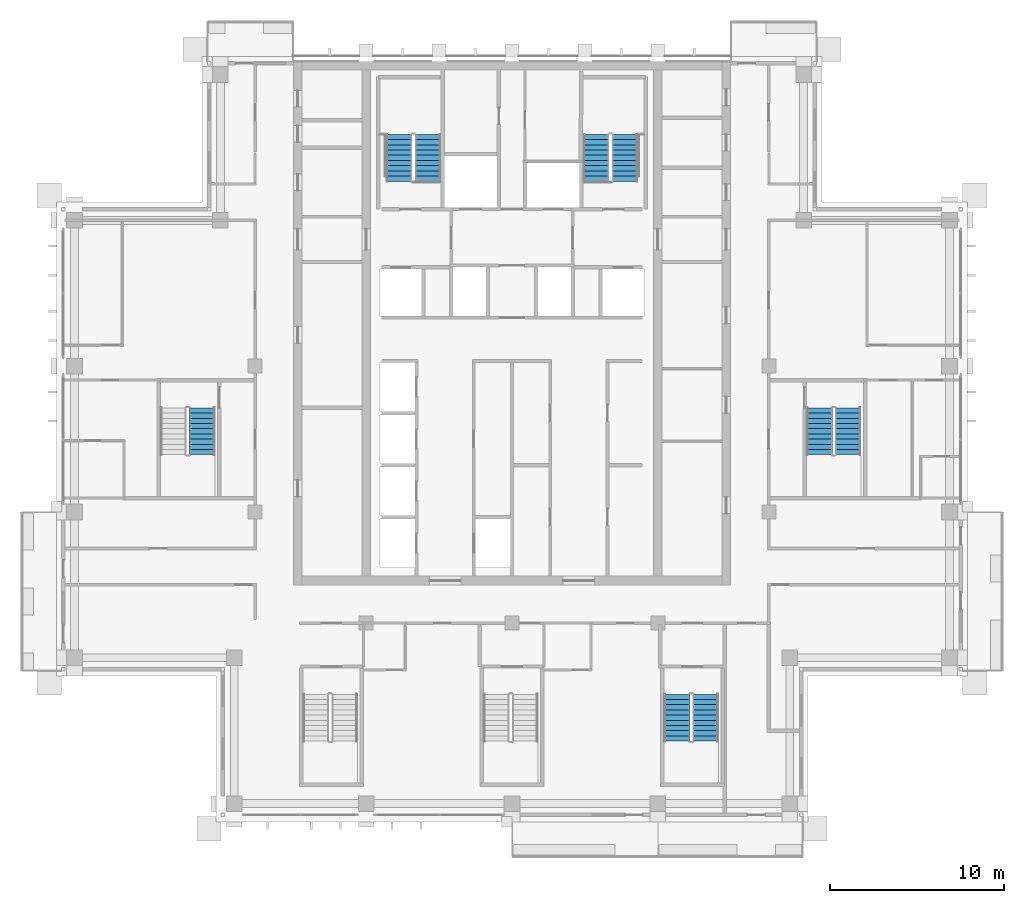
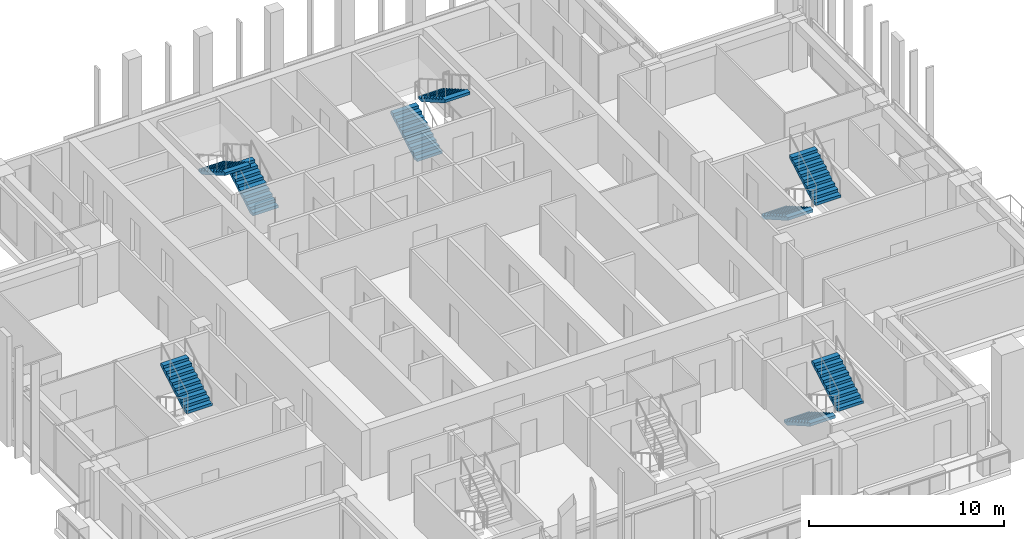
# One storey, part 14 of 18: 9 stair flights, 5 elements without a shape of their own.
"""IFC4 building model written with IfcOpenShell, lengths in metres."""

from ifc_helpers import new_model, si_unit, direction, frame, origin, place, context, subcontext, project, spatial, polyline, outline, extrude, material, type_object, element, aggregate, save


model = new_model("IFC4")

# Units and contexts
model_context = context("Model", 3, precision=1e-05, world=origin(), true_north=direction((0.0, 1.0)))
body_context = subcontext(model_context, "Body", "Model", "MODEL_VIEW")
ifc_project = project(units=[si_unit("LENGTHUNIT", "METRE"), si_unit("AREAUNIT", "SQUARE_METRE"), si_unit("VOLUMEUNIT", "CUBIC_METRE"), si_unit("PLANEANGLEUNIT", "RADIAN"), si_unit("MASSUNIT", "GRAM", prefix="KILO")], contexts=[model_context])

# Site, building, storey
site_placement = place(None, origin())
site = spatial("IfcSite", under=ifc_project, at=site_placement, CompositionType="ELEMENT")
building_placement = place(site_placement, origin())
building = spatial("IfcBuilding", under=site, at=building_placement, Name="Vermilion Ogive Tower", CompositionType="ELEMENT")
storey_placement = place(building_placement, frame((0.0, 0.0, 254.5)))
storey = spatial("IfcBuildingStorey", under=building, at=storey_placement, Name="L67", CompositionType="ELEMENT", Elevation=254.5)

# Stair, stair flights
ifc_material_1 = material(Name="Concrete B40", Category="concrete")
stair_type = type_object("IfcStairType", Name="Exit stair 1500", PredefinedType="HALF_TURN_STAIR", material=ifc_material_1)
stair_1_placement = place(storey_placement, origin())
stair_1 = element("IfcStair", 1, at=stair_1_placement, inside=storey, type_object=stair_type, Name="L67 Exit Stair ST1", PredefinedType="HALF_TURN_STAIR")
ifc_material_2 = material(Name="Concrete B40", Category="concrete")
stair_flight_type = type_object("IfcStairFlightType", Name="Stair flight 1500", PredefinedType="STRAIGHT", material=ifc_material_2)
stair_flight_1_placement = place(storey_placement, frame((-4.85009765625, 14.85009765625, 0.0), z_axis=(0.0, 0.0, 1.0), x_axis=(0.0, 1.0, 0.0)))
stair_flight_1 = element("IfcStairFlight", 2, at=stair_flight_1_placement, type_object=stair_flight_type, Name="ST1 flight 1", NumberOfRisers=10, NumberOfTreads=9, PredefinedType="STRAIGHT", RiserHeight=0.1725, TreadLength=0.3, context=body_context, shape_type="SweptSolid", body=[
    extrude(outline(polyline([(0.0, 0.0), (0.0, 0.172607421875), (0.300048828125, 0.172607421875), (0.300048828125, 0.344970703125), (0.60009765625, 0.344970703125), (0.60009765625, 0.517578125), (0.89990234375, 0.517578125), (0.89990234375, 0.68994140625), (1.199951171875, 0.68994140625), (1.199951171875, 0.862548828125), (1.5, 0.862548828125), (1.5, 1.034912109375), (1.800048828125, 1.034912109375), (1.800048828125, 1.20751953125), (2.10009765625, 1.20751953125), (2.10009765625, 1.3798828125), (2.39990234375, 1.3798828125), (2.39990234375, 1.552490234375), (2.699951171875, 1.552490234375), (2.699951171875, 1.72509765625), (2.699951171875, 1.379638671875), (0.30078125, 0.0), (0.0, 0.0)])), frame((0.0, 0.75, 0.0), z_axis=(0.0, -1.0, 0.0), x_axis=(1.0, 0.0, 0.0)), (0.0, 0.0, 1.0), 1.5),
])
stair_flight_2_placement = place(storey_placement, frame((-6.5, 17.550048828125, 1.72509765625), z_axis=(0.0, 0.0, 1.0), x_axis=(0.0, -1.0, 0.0)))
stair_flight_2 = element("IfcStairFlight", 3, at=stair_flight_2_placement, type_object=stair_flight_type, Name="ST1 flight 2", NumberOfRisers=10, NumberOfTreads=9, PredefinedType="STRAIGHT", RiserHeight=0.1725, TreadLength=0.3, context=body_context, shape_type="SweptSolid", body=[
    extrude(outline(polyline([(0.0, 0.0), (0.0, 0.172607421875), (0.300048828125, 0.172607421875), (0.300048828125, 0.344970703125), (0.60009765625, 0.344970703125), (0.60009765625, 0.517578125), (0.89990234375, 0.517578125), (0.89990234375, 0.68994140625), (1.199951171875, 0.68994140625), (1.199951171875, 0.862548828125), (1.5, 0.862548828125), (1.5, 1.034912109375), (1.800048828125, 1.034912109375), (1.800048828125, 1.20751953125), (2.10009765625, 1.20751953125), (2.10009765625, 1.3798828125), (2.39990234375, 1.3798828125), (2.39990234375, 1.552490234375), (2.699951171875, 1.552490234375), (2.699951171875, 1.72509765625), (2.699951171875, 1.379638671875), (0.30078125, 0.0), (0.0, 0.0)])), frame((0.0, 0.75, 0.0), z_axis=(0.0, -1.0, 0.0), x_axis=(1.0, 0.0, 0.0)), (0.0, 0.0, 1.0), 1.5),
])
aggregate(stair_1, [stair_flight_1, stair_flight_2])

stair_2_placement = place(storey_placement, origin())
stair_2 = element("IfcStair", 4, at=stair_2_placement, inside=storey, type_object=stair_type, Name="L67 Exit Stair ST2", PredefinedType="HALF_TURN_STAIR")
stair_flight_3_placement = place(storey_placement, frame((4.85009765625, 14.85009765625, 0.0), z_axis=(0.0, 0.0, 1.0), x_axis=(0.0, 1.0, 0.0)))
stair_flight_3 = element("IfcStairFlight", 5, at=stair_flight_3_placement, type_object=stair_flight_type, Name="ST2 flight 1", NumberOfRisers=10, NumberOfTreads=9, PredefinedType="STRAIGHT", RiserHeight=0.1725, TreadLength=0.3, context=body_context, shape_type="SweptSolid", body=[
    extrude(outline(polyline([(0.0, 0.0), (0.0, 0.172607421875), (0.300048828125, 0.172607421875), (0.300048828125, 0.344970703125), (0.60009765625, 0.344970703125), (0.60009765625, 0.517578125), (0.89990234375, 0.517578125), (0.89990234375, 0.68994140625), (1.199951171875, 0.68994140625), (1.199951171875, 0.862548828125), (1.5, 0.862548828125), (1.5, 1.034912109375), (1.800048828125, 1.034912109375), (1.800048828125, 1.20751953125), (2.10009765625, 1.20751953125), (2.10009765625, 1.3798828125), (2.39990234375, 1.3798828125), (2.39990234375, 1.552490234375), (2.699951171875, 1.552490234375), (2.699951171875, 1.72509765625), (2.699951171875, 1.379638671875), (0.30078125, 0.0), (0.0, 0.0)])), frame((0.0, 0.75, 0.0), z_axis=(0.0, -1.0, 0.0), x_axis=(1.0, 0.0, 0.0)), (0.0, 0.0, 1.0), 1.5),
])
stair_flight_4_placement = place(storey_placement, frame((6.5, 17.550048828125, 1.72509765625), z_axis=(0.0, 0.0, 1.0), x_axis=(0.0, -1.0, 0.0)))
stair_flight_4 = element("IfcStairFlight", 6, at=stair_flight_4_placement, type_object=stair_flight_type, Name="ST2 flight 2", NumberOfRisers=10, NumberOfTreads=9, PredefinedType="STRAIGHT", RiserHeight=0.1725, TreadLength=0.3, context=body_context, shape_type="SweptSolid", body=[
    extrude(outline(polyline([(0.0, 0.0), (0.0, 0.172607421875), (0.300048828125, 0.172607421875), (0.300048828125, 0.344970703125), (0.60009765625, 0.344970703125), (0.60009765625, 0.517578125), (0.89990234375, 0.517578125), (0.89990234375, 0.68994140625), (1.199951171875, 0.68994140625), (1.199951171875, 0.862548828125), (1.5, 0.862548828125), (1.5, 1.034912109375), (1.800048828125, 1.034912109375), (1.800048828125, 1.20751953125), (2.10009765625, 1.20751953125), (2.10009765625, 1.3798828125), (2.39990234375, 1.3798828125), (2.39990234375, 1.552490234375), (2.699951171875, 1.552490234375), (2.699951171875, 1.72509765625), (2.699951171875, 1.379638671875), (0.30078125, 0.0), (0.0, 0.0)])), frame((0.0, 0.75, 0.0), z_axis=(0.0, -1.0, 0.0), x_axis=(1.0, 0.0, 0.0)), (0.0, 0.0, 1.0), 1.5),
])
aggregate(stair_2, [stair_flight_3, stair_flight_4])

stair_3_placement = place(storey_placement, origin())
stair_3 = element("IfcStair", 7, at=stair_3_placement, inside=storey, type_object=stair_type, Name="L67 Exit Stair ST5", PredefinedType="HALF_TURN_STAIR")
stair_flight_5_placement = place(storey_placement, frame((9.5, -14.699951171875, 0.0), z_axis=(0.0, 0.0, 1.0), x_axis=(0.0, -1.0, 0.0)))
stair_flight_5 = element("IfcStairFlight", 8, at=stair_flight_5_placement, type_object=stair_flight_type, Name="ST5 flight 1", NumberOfRisers=10, NumberOfTreads=9, PredefinedType="STRAIGHT", RiserHeight=0.1725, TreadLength=0.3, context=body_context, shape_type="SweptSolid", body=[
    extrude(outline(polyline([(0.0, 0.0), (0.0, 0.172607421875), (0.300048828125, 0.172607421875), (0.300048828125, 0.344970703125), (0.60009765625, 0.344970703125), (0.60009765625, 0.517578125), (0.89990234375, 0.517578125), (0.89990234375, 0.68994140625), (1.199951171875, 0.68994140625), (1.199951171875, 0.862548828125), (1.5, 0.862548828125), (1.5, 1.034912109375), (1.800048828125, 1.034912109375), (1.800048828125, 1.20751953125), (2.10009765625, 1.20751953125), (2.10009765625, 1.3798828125), (2.39990234375, 1.3798828125), (2.39990234375, 1.552490234375), (2.699951171875, 1.552490234375), (2.699951171875, 1.72509765625), (2.699951171875, 1.379638671875), (0.30078125, 0.0), (0.0, 0.0)])), frame((0.0, 0.75, 0.0), z_axis=(0.0, -1.0, 0.0), x_axis=(1.0, 0.0, 0.0)), (0.0, 0.0, 1.0), 1.5),
])
stair_flight_6_placement = place(storey_placement, frame((11.14990234375, -17.39990234375, 1.72509765625), z_axis=(0.0, 0.0, 1.0), x_axis=(0.0, 1.0, 0.0)))
stair_flight_6 = element("IfcStairFlight", 9, at=stair_flight_6_placement, type_object=stair_flight_type, Name="ST5 flight 2", NumberOfRisers=10, NumberOfTreads=9, PredefinedType="STRAIGHT", RiserHeight=0.1725, TreadLength=0.3, context=body_context, shape_type="SweptSolid", body=[
    extrude(outline(polyline([(0.0, 0.0), (0.0, 0.172607421875), (0.300048828125, 0.172607421875), (0.300048828125, 0.344970703125), (0.60009765625, 0.344970703125), (0.60009765625, 0.517578125), (0.89990234375, 0.517578125), (0.89990234375, 0.68994140625), (1.199951171875, 0.68994140625), (1.199951171875, 0.862548828125), (1.5, 0.862548828125), (1.5, 1.034912109375), (1.800048828125, 1.034912109375), (1.800048828125, 1.20751953125), (2.10009765625, 1.20751953125), (2.10009765625, 1.3798828125), (2.39990234375, 1.3798828125), (2.39990234375, 1.552490234375), (2.699951171875, 1.552490234375), (2.699951171875, 1.72509765625), (2.699951171875, 1.379638671875), (0.30078125, 0.0), (0.0, 0.0)])), frame((0.0, 0.75, 0.0), z_axis=(0.0, -1.0, 0.0), x_axis=(1.0, 0.0, 0.0)), (0.0, 0.0, 1.0), 1.5),
])
aggregate(stair_3, [stair_flight_5, stair_flight_6])

stair_4_placement = place(storey_placement, origin())
stair_4 = element("IfcStair", 10, at=stair_4_placement, inside=storey, type_object=stair_type, Name="L67 Exit Stair ST8", PredefinedType="HALF_TURN_STAIR")
stair_flight_7_placement = place(storey_placement, frame((17.699951171875, 1.800048828125, 0.0), z_axis=(0.0, 0.0, 1.0), x_axis=(0.0, -1.0, 0.0)))
stair_flight_7 = element("IfcStairFlight", 11, at=stair_flight_7_placement, type_object=stair_flight_type, Name="ST8 flight 1", NumberOfRisers=10, NumberOfTreads=9, PredefinedType="STRAIGHT", RiserHeight=0.1725, TreadLength=0.3, context=body_context, shape_type="SweptSolid", body=[
    extrude(outline(polyline([(0.0, 0.0), (0.0, 0.172607421875), (0.300048828125, 0.172607421875), (0.300048828125, 0.344970703125), (0.60009765625, 0.344970703125), (0.60009765625, 0.517578125), (0.89990234375, 0.517578125), (0.89990234375, 0.68994140625), (1.199951171875, 0.68994140625), (1.199951171875, 0.862548828125), (1.5, 0.862548828125), (1.5, 1.034912109375), (1.800048828125, 1.034912109375), (1.800048828125, 1.20751953125), (2.10009765625, 1.20751953125), (2.10009765625, 1.3798828125), (2.39990234375, 1.3798828125), (2.39990234375, 1.552490234375), (2.699951171875, 1.552490234375), (2.699951171875, 1.72509765625), (2.699951171875, 1.379638671875), (0.30078125, 0.0), (0.0, 0.0)])), frame((0.0, 0.75, 0.0), z_axis=(0.0, -1.0, 0.0), x_axis=(1.0, 0.0, 0.0)), (0.0, 0.0, 1.0), 1.5),
])
stair_flight_8_placement = place(storey_placement, frame((19.35009765625, -0.89990234375, 1.72509765625), z_axis=(0.0, 0.0, 1.0), x_axis=(0.0, 1.0, 0.0)))
stair_flight_8 = element("IfcStairFlight", 12, at=stair_flight_8_placement, type_object=stair_flight_type, Name="ST8 flight 2", NumberOfRisers=10, NumberOfTreads=9, PredefinedType="STRAIGHT", RiserHeight=0.1725, TreadLength=0.3, context=body_context, shape_type="SweptSolid", body=[
    extrude(outline(polyline([(0.0, 0.0), (0.0, 0.172607421875), (0.300048828125, 0.172607421875), (0.300048828125, 0.344970703125), (0.60009765625, 0.344970703125), (0.60009765625, 0.517578125), (0.89990234375, 0.517578125), (0.89990234375, 0.68994140625), (1.199951171875, 0.68994140625), (1.199951171875, 0.862548828125), (1.5, 0.862548828125), (1.5, 1.034912109375), (1.800048828125, 1.034912109375), (1.800048828125, 1.20751953125), (2.10009765625, 1.20751953125), (2.10009765625, 1.3798828125), (2.39990234375, 1.3798828125), (2.39990234375, 1.552490234375), (2.699951171875, 1.552490234375), (2.699951171875, 1.72509765625), (2.699951171875, 1.379638671875), (0.30078125, 0.0), (0.0, 0.0)])), frame((0.0, 0.75, 0.0), z_axis=(0.0, -1.0, 0.0), x_axis=(1.0, 0.0, 0.0)), (0.0, 0.0, 1.0), 1.5),
])
aggregate(stair_4, [stair_flight_7, stair_flight_8])

# Stair, stair flight
stair_5_placement = place(storey_placement, origin())
stair_5 = element("IfcStair", 13, at=stair_5_placement, inside=storey, type_object=stair_type, Name="L67 Exit Stair ST9", PredefinedType="HALF_TURN_STAIR")
stair_flight_9_placement = place(storey_placement, frame((-17.85009765625, -0.89990234375, 1.72509765625), z_axis=(0.0, 0.0, 1.0), x_axis=(0.0, 1.0, 0.0)))
stair_flight_9 = element("IfcStairFlight", 14, at=stair_flight_9_placement, type_object=stair_flight_type, Name="ST9 flight 2", NumberOfRisers=10, NumberOfTreads=9, PredefinedType="STRAIGHT", RiserHeight=0.1725, TreadLength=0.3, context=body_context, shape_type="SweptSolid", body=[
    extrude(outline(polyline([(0.0, 0.0), (0.0, 0.172607421875), (0.300048828125, 0.172607421875), (0.300048828125, 0.344970703125), (0.60009765625, 0.344970703125), (0.60009765625, 0.517578125), (0.89990234375, 0.517578125), (0.89990234375, 0.68994140625), (1.199951171875, 0.68994140625), (1.199951171875, 0.862548828125), (1.5, 0.862548828125), (1.5, 1.034912109375), (1.800048828125, 1.034912109375), (1.800048828125, 1.20751953125), (2.10009765625, 1.20751953125), (2.10009765625, 1.3798828125), (2.39990234375, 1.3798828125), (2.39990234375, 1.552490234375), (2.699951171875, 1.552490234375), (2.699951171875, 1.72509765625), (2.699951171875, 1.379638671875), (0.30078125, 0.0), (0.0, 0.0)])), frame((0.0, 0.75, 0.0), z_axis=(0.0, -1.0, 0.0), x_axis=(1.0, 0.0, 0.0)), (0.0, 0.0, 1.0), 1.5),
])
aggregate(stair_5, [stair_flight_9])

save(model, "model.ifc")
